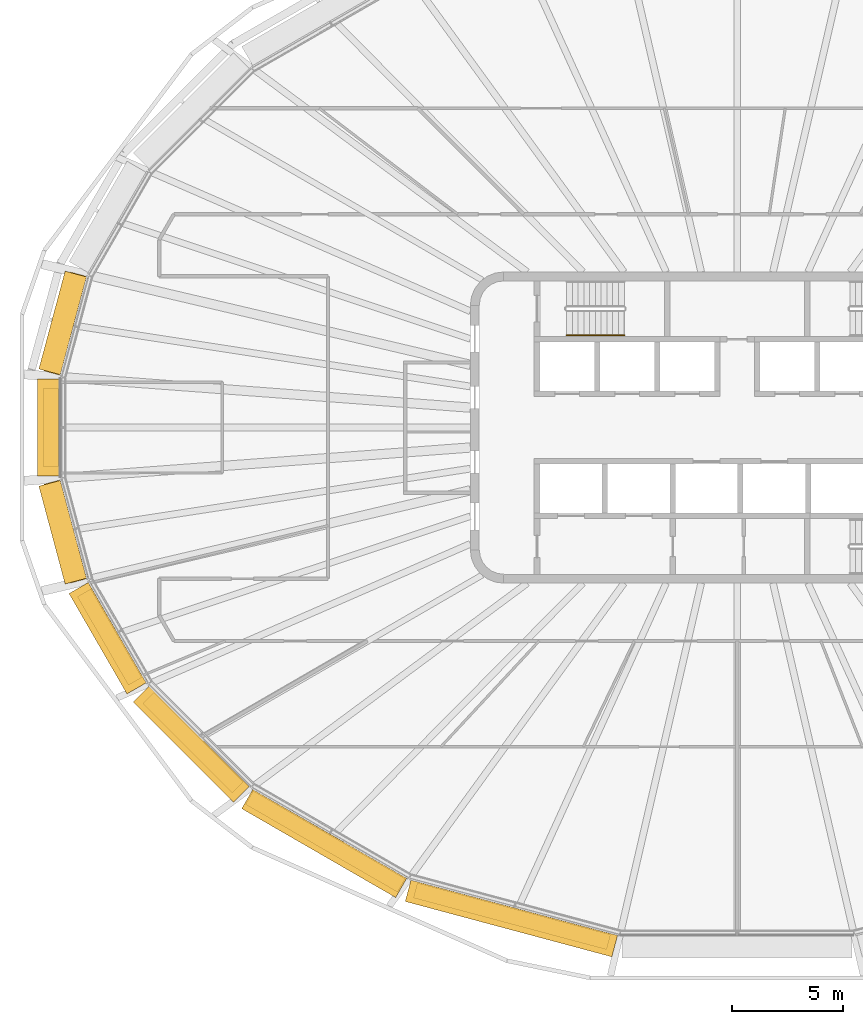
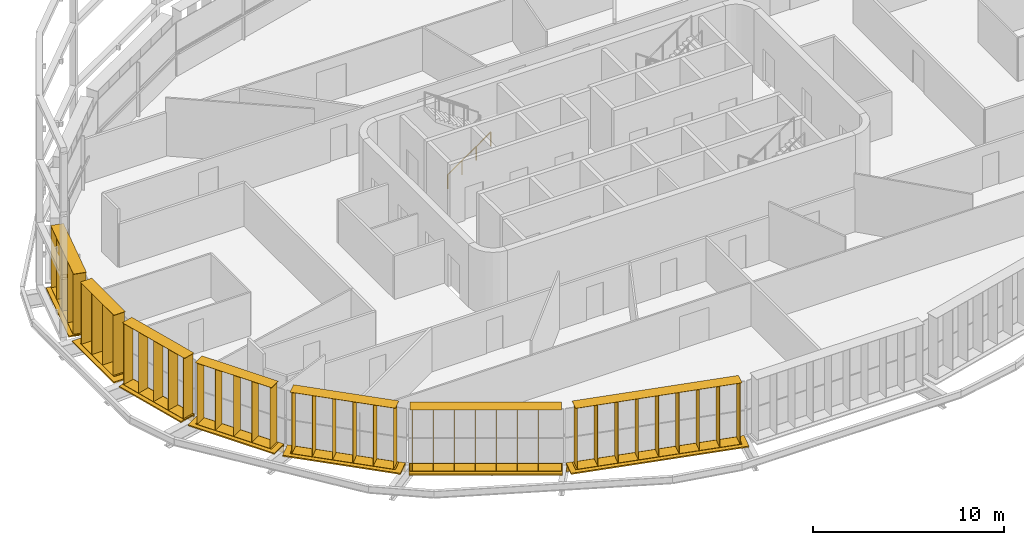
# One storey, part 15 of 20: 14 shading devices, 1 railing.
"""IFC4 building model written with IfcOpenShell, lengths in metres."""

from ifc_helpers import new_model, si_unit, direction, frame, origin, origin_2d, place, context, subcontext, project, spatial, rectangle, circle, extrude, material, type_object, element, save


model = new_model("IFC4")

# Units and contexts
model_context = context("Model", 3, precision=1e-05, world=origin(), true_north=direction((0.0, 1.0)))
body_context = subcontext(model_context, "Body", "Model", "MODEL_VIEW")
ifc_project = project(units=[si_unit("LENGTHUNIT", "METRE"), si_unit("AREAUNIT", "SQUARE_METRE"), si_unit("VOLUMEUNIT", "CUBIC_METRE"), si_unit("PLANEANGLEUNIT", "RADIAN"), si_unit("MASSUNIT", "GRAM", prefix="KILO")], contexts=[model_context])

# Site, building, storey
site_placement = place(None, origin())
site = spatial("IfcSite", under=ifc_project, at=site_placement, CompositionType="ELEMENT")
building_placement = place(site_placement, origin())
building = spatial("IfcBuilding", under=site, at=building_placement, Name="Sahrelin Media Tower", CompositionType="ELEMENT")
storey_placement = place(building_placement, frame((0.0, 0.0, 237.60009765625)))
storey = spatial("IfcBuildingStorey", under=building, at=storey_placement, Name="L51", CompositionType="ELEMENT", Elevation=237.60009765625)

# Shading devices
ifc_material_1 = material(Name="Champagne anodised aluminium 6063-T6", Category="aluminium")
shading_device_type_1 = type_object("IfcShadingDeviceType", Name="Fin cassette", PredefinedType="USERDEFINED", material=ifc_material_1)
placement_1 = place(storey_placement, frame((-29.83447265625, 4.572265625, 0.0), z_axis=(0.0, 0.0, 1.0), x_axis=(0.258807731996, 0.965928857556, 0.0)))
element("IfcShadingDevice", 1, at=placement_1, inside=storey, type_object=shading_device_type_1, Name="L51:FIN:L51-11", ObjectType="FIN", PredefinedType="USERDEFINED", context=body_context, shape_type="SweptSolid", body=[
    extrude(rectangle(XDim=4.60009765625, YDim=0.699951171875, at=origin_2d()), frame((0.0, 0.419921875, 0.0)), (0.0, 0.0, 1.0), 0.02001953125),
    extrude(rectangle(XDim=4.60009765625, YDim=0.699951171875, at=origin_2d()), frame((0.0, 0.419921875, 3.89990234375)), (0.0, 0.0, 1.0), 0.02001953125),
    extrude(rectangle(XDim=0.02001953125, YDim=0.699951171875, at=origin_2d()), frame((-2.199951171875, 0.419921875, 0.010009765625), z_axis=(0.0, 0.0, 1.0), x_axis=(1.0, 0.0, 0.0)), (0.0, 0.0, 1.0), 3.89990234375),
    extrude(rectangle(XDim=0.02001953125, YDim=0.699951171875, at=origin_2d()), frame((-1.10009765625, 0.419921875, 0.010009765625), z_axis=(0.0, 0.0, 1.0), x_axis=(1.0, 0.0, 0.0)), (0.0, 0.0, 1.0), 3.89990234375),
    extrude(rectangle(XDim=0.02001953125, YDim=0.699951171875, at=origin_2d()), frame((0.0, 0.419921875, 0.010009765625), z_axis=(0.0, 0.0, 1.0), x_axis=(1.0, 0.0, 0.0)), (0.0, 0.0, 1.0), 3.89990234375),
    extrude(rectangle(XDim=0.02001953125, YDim=0.699951171875, at=origin_2d()), frame((1.10009765625, 0.419921875, 0.010009765625), z_axis=(0.0, 0.0, 1.0), x_axis=(1.0, 0.0, 0.0)), (0.0, 0.0, 1.0), 3.89990234375),
    extrude(rectangle(XDim=0.02001953125, YDim=0.699951171875, at=origin_2d()), frame((2.199951171875, 0.419921875, 0.010009765625), z_axis=(0.0, 0.0, 1.0), x_axis=(1.0, 0.0, 0.0)), (0.0, 0.0, 1.0), 3.89990234375),
])
placement_2 = place(storey_placement, frame((-30.449951171875, 0.0, 0.0), z_axis=(0.0, 0.0, 1.0), x_axis=(0.0, 1.0, 0.0)))
element("IfcShadingDevice", 2, at=placement_2, inside=storey, type_object=shading_device_type_1, Name="L51:FIN:L51-12", ObjectType="FIN", PredefinedType="USERDEFINED", context=body_context, shape_type="SweptSolid", body=[
    extrude(rectangle(XDim=3.5, YDim=0.699951171875, at=origin_2d()), frame((0.0, 0.419921875, 0.0)), (0.0, 0.0, 1.0), 0.02001953125),
    extrude(rectangle(XDim=3.5, YDim=0.699951171875, at=origin_2d()), frame((0.0, 0.419921875, 3.89990234375)), (0.0, 0.0, 1.0), 0.02001953125),
    extrude(rectangle(XDim=0.02001953125, YDim=0.699951171875, at=origin_2d()), frame((-1.64990234375, 0.419921875, 0.010009765625), z_axis=(0.0, 0.0, 1.0), x_axis=(1.0, 0.0, 0.0)), (0.0, 0.0, 1.0), 3.89990234375),
    extrude(rectangle(XDim=0.02001953125, YDim=0.699951171875, at=origin_2d()), frame((-0.550048828125, 0.419921875, 0.010009765625), z_axis=(0.0, 0.0, 1.0), x_axis=(1.0, 0.0, 0.0)), (0.0, 0.0, 1.0), 3.89990234375),
    extrude(rectangle(XDim=0.02001953125, YDim=0.699951171875, at=origin_2d()), frame((0.550048828125, 0.419921875, 0.010009765625), z_axis=(0.0, 0.0, 1.0), x_axis=(1.0, 0.0, 0.0)), (0.0, 0.0, 1.0), 3.89990234375),
    extrude(rectangle(XDim=0.02001953125, YDim=0.699951171875, at=origin_2d()), frame((1.64990234375, 0.419921875, 0.010009765625), z_axis=(0.0, 0.0, 1.0), x_axis=(1.0, 0.0, 0.0)), (0.0, 0.0, 1.0), 3.89990234375),
])
placement_3 = place(storey_placement, frame((-29.834228515625, -4.572265625, 0.0), z_axis=(0.0, 0.0, 1.0), x_axis=(-0.258807731996, 0.965928857556, 0.0)))
element("IfcShadingDevice", 3, at=placement_3, inside=storey, type_object=shading_device_type_1, Name="L51:FIN:L51-13", ObjectType="FIN", PredefinedType="USERDEFINED", context=body_context, shape_type="SweptSolid", body=[
    extrude(rectangle(XDim=4.60009765625, YDim=0.699951171875, at=origin_2d()), frame((0.0, 0.419921875, 0.0)), (0.0, 0.0, 1.0), 0.02001953125),
    extrude(rectangle(XDim=4.60009765625, YDim=0.699951171875, at=origin_2d()), frame((0.0, 0.419921875, 3.89990234375)), (0.0, 0.0, 1.0), 0.02001953125),
    extrude(rectangle(XDim=0.02001953125, YDim=0.699951171875, at=origin_2d()), frame((-2.199951171875, 0.419921875, 0.010009765625), z_axis=(0.0, 0.0, 1.0), x_axis=(1.0, 0.0, 0.0)), (0.0, 0.0, 1.0), 3.89990234375),
    extrude(rectangle(XDim=0.02001953125, YDim=0.699951171875, at=origin_2d()), frame((-1.10009765625, 0.419921875, 0.010009765625), z_axis=(0.0, 0.0, 1.0), x_axis=(1.0, 0.0, 0.0)), (0.0, 0.0, 1.0), 3.89990234375),
    extrude(rectangle(XDim=0.02001953125, YDim=0.699951171875, at=origin_2d()), frame((0.0, 0.419921875, 0.010009765625), z_axis=(0.0, 0.0, 1.0), x_axis=(1.0, 0.0, 0.0)), (0.0, 0.0, 1.0), 3.89990234375),
    extrude(rectangle(XDim=0.02001953125, YDim=0.699951171875, at=origin_2d()), frame((1.10009765625, 0.419921875, 0.010009765625), z_axis=(0.0, 0.0, 1.0), x_axis=(1.0, 0.0, 0.0)), (0.0, 0.0, 1.0), 3.89990234375),
    extrude(rectangle(XDim=0.02001953125, YDim=0.699951171875, at=origin_2d()), frame((2.199951171875, 0.419921875, 0.010009765625), z_axis=(0.0, 0.0, 1.0), x_axis=(1.0, 0.0, 0.0)), (0.0, 0.0, 1.0), 3.89990234375),
])
placement_4 = place(storey_placement, frame((-27.865234375, -9.214111328125, 0.0), z_axis=(0.0, 0.0, 1.0), x_axis=(-0.500011000363, 0.866019052629, 0.0)))
element("IfcShadingDevice", 4, at=placement_4, inside=storey, type_object=shading_device_type_1, Name="L51:FIN:L51-14", ObjectType="FIN", PredefinedType="USERDEFINED", context=body_context, shape_type="SweptSolid", body=[
    extrude(rectangle(XDim=4.60009765625, YDim=0.699951171875, at=origin_2d()), frame((0.0, 0.419921875, 0.0)), (0.0, 0.0, 1.0), 0.02001953125),
    extrude(rectangle(XDim=4.60009765625, YDim=0.699951171875, at=origin_2d()), frame((0.0, 0.419921875, 3.89990234375)), (0.0, 0.0, 1.0), 0.02001953125),
    extrude(rectangle(XDim=0.02001953125, YDim=0.699951171875, at=origin_2d()), frame((-2.199951171875, 0.419921875, 0.010009765625), z_axis=(0.0, 0.0, 1.0), x_axis=(1.0, 0.0, 0.0)), (0.0, 0.0, 1.0), 3.89990234375),
    extrude(rectangle(XDim=0.02001953125, YDim=0.699951171875, at=origin_2d()), frame((-1.10009765625, 0.419921875, 0.010009765625), z_axis=(0.0, 0.0, 1.0), x_axis=(1.0, 0.0, 0.0)), (0.0, 0.0, 1.0), 3.89990234375),
    extrude(rectangle(XDim=0.02001953125, YDim=0.699951171875, at=origin_2d()), frame((0.0, 0.419921875, 0.010009765625), z_axis=(0.0, 0.0, 1.0), x_axis=(1.0, 0.0, 0.0)), (0.0, 0.0, 1.0), 3.89990234375),
    extrude(rectangle(XDim=0.02001953125, YDim=0.699951171875, at=origin_2d()), frame((1.10009765625, 0.419921875, 0.010009765625), z_axis=(0.0, 0.0, 1.0), x_axis=(1.0, 0.0, 0.0)), (0.0, 0.0, 1.0), 3.89990234375),
    extrude(rectangle(XDim=0.02001953125, YDim=0.699951171875, at=origin_2d()), frame((2.199951171875, 0.419921875, 0.010009765625), z_axis=(0.0, 0.0, 1.0), x_axis=(1.0, 0.0, 0.0)), (0.0, 0.0, 1.0), 3.89990234375),
])
placement_5 = place(storey_placement, frame((-24.1865234375, -13.88330078125, 0.0), z_axis=(0.0, 0.0, 1.0), x_axis=(-0.707106781187, 0.707106781187, 0.0)))
element("IfcShadingDevice", 5, at=placement_5, inside=storey, type_object=shading_device_type_1, Name="L51:FIN:L51-15", ObjectType="FIN", PredefinedType="USERDEFINED", context=body_context, shape_type="SweptSolid", body=[
    extrude(rectangle(XDim=5.699951171875, YDim=0.699951171875, at=origin_2d()), frame((0.0, 0.419921875, 0.0)), (0.0, 0.0, 1.0), 0.02001953125),
    extrude(rectangle(XDim=5.699951171875, YDim=0.699951171875, at=origin_2d()), frame((0.0, 0.419921875, 3.89990234375)), (0.0, 0.0, 1.0), 0.02001953125),
    extrude(rectangle(XDim=0.02001953125, YDim=0.699951171875, at=origin_2d()), frame((-2.75, 0.419921875, 0.010009765625), z_axis=(0.0, 0.0, 1.0), x_axis=(1.0, 0.0, 0.0)), (0.0, 0.0, 1.0), 3.89990234375),
    extrude(rectangle(XDim=0.02001953125, YDim=0.699951171875, at=origin_2d()), frame((-1.64990234375, 0.419921875, 0.010009765625), z_axis=(0.0, 0.0, 1.0), x_axis=(1.0, 0.0, 0.0)), (0.0, 0.0, 1.0), 3.89990234375),
    extrude(rectangle(XDim=0.02001953125, YDim=0.699951171875, at=origin_2d()), frame((-0.550048828125, 0.419921875, 0.010009765625), z_axis=(0.0, 0.0, 1.0), x_axis=(1.0, 0.0, 0.0)), (0.0, 0.0, 1.0), 3.89990234375),
    extrude(rectangle(XDim=0.02001953125, YDim=0.699951171875, at=origin_2d()), frame((0.550048828125, 0.419921875, 0.010009765625), z_axis=(0.0, 0.0, 1.0), x_axis=(1.0, 0.0, 0.0)), (0.0, 0.0, 1.0), 3.89990234375),
    extrude(rectangle(XDim=0.02001953125, YDim=0.699951171875, at=origin_2d()), frame((1.64990234375, 0.419921875, 0.010009765625), z_axis=(0.0, 0.0, 1.0), x_axis=(1.0, 0.0, 0.0)), (0.0, 0.0, 1.0), 3.89990234375),
    extrude(rectangle(XDim=0.02001953125, YDim=0.699951171875, at=origin_2d()), frame((2.75, 0.419921875, 0.010009765625), z_axis=(0.0, 0.0, 1.0), x_axis=(1.0, 0.0, 0.0)), (0.0, 0.0, 1.0), 3.89990234375),
])
placement_6 = place(storey_placement, frame((-18.3115234375, -18.25830078125, 0.0), z_axis=(0.0, 0.0, 1.0), x_axis=(-0.866019052629, 0.500011000363, 0.0)))
element("IfcShadingDevice", 6, at=placement_6, inside=storey, type_object=shading_device_type_1, Name="L51:FIN:L51-16", ObjectType="FIN", PredefinedType="USERDEFINED", context=body_context, shape_type="SweptSolid", body=[
    extrude(rectangle(XDim=7.89990234375, YDim=0.699951171875, at=origin_2d()), frame((0.0, 0.419921875, 0.0)), (0.0, 0.0, 1.0), 0.02001953125),
    extrude(rectangle(XDim=7.89990234375, YDim=0.699951171875, at=origin_2d()), frame((0.0, 0.419921875, 3.89990234375)), (0.0, 0.0, 1.0), 0.02001953125),
    extrude(rectangle(XDim=0.02001953125, YDim=0.699951171875, at=origin_2d()), frame((-3.85009765625, 0.419921875, 0.010009765625), z_axis=(0.0, 0.0, 1.0), x_axis=(1.0, 0.0, 0.0)), (0.0, 0.0, 1.0), 3.89990234375),
    extrude(rectangle(XDim=0.02001953125, YDim=0.699951171875, at=origin_2d()), frame((-2.75, 0.419921875, 0.010009765625), z_axis=(0.0, 0.0, 1.0), x_axis=(1.0, 0.0, 0.0)), (0.0, 0.0, 1.0), 3.89990234375),
    extrude(rectangle(XDim=0.02001953125, YDim=0.699951171875, at=origin_2d()), frame((-1.64990234375, 0.419921875, 0.010009765625), z_axis=(0.0, 0.0, 1.0), x_axis=(1.0, 0.0, 0.0)), (0.0, 0.0, 1.0), 3.89990234375),
    extrude(rectangle(XDim=0.02001953125, YDim=0.699951171875, at=origin_2d()), frame((-0.550048828125, 0.419921875, 0.010009765625), z_axis=(0.0, 0.0, 1.0), x_axis=(1.0, 0.0, 0.0)), (0.0, 0.0, 1.0), 3.89990234375),
    extrude(rectangle(XDim=0.02001953125, YDim=0.699951171875, at=origin_2d()), frame((0.550048828125, 0.419921875, 0.010009765625), z_axis=(0.0, 0.0, 1.0), x_axis=(1.0, 0.0, 0.0)), (0.0, 0.0, 1.0), 3.89990234375),
    extrude(rectangle(XDim=0.02001953125, YDim=0.699951171875, at=origin_2d()), frame((1.64990234375, 0.419921875, 0.010009765625), z_axis=(0.0, 0.0, 1.0), x_axis=(1.0, 0.0, 0.0)), (0.0, 0.0, 1.0), 3.89990234375),
    extrude(rectangle(XDim=0.02001953125, YDim=0.699951171875, at=origin_2d()), frame((2.75, 0.419921875, 0.010009765625), z_axis=(0.0, 0.0, 1.0), x_axis=(1.0, 0.0, 0.0)), (0.0, 0.0, 1.0), 3.89990234375),
    extrude(rectangle(XDim=0.02001953125, YDim=0.699951171875, at=origin_2d()), frame((3.85009765625, 0.419921875, 0.010009765625), z_axis=(0.0, 0.0, 1.0), x_axis=(1.0, 0.0, 0.0)), (0.0, 0.0, 1.0), 3.89990234375),
])
placement_7 = place(storey_placement, frame((-10.017578125, -21.578857421875, 0.0), z_axis=(0.0, 0.0, 1.0), x_axis=(-0.965928857556, 0.258807731996, 0.0)))
element("IfcShadingDevice", 7, at=placement_7, inside=storey, type_object=shading_device_type_1, Name="L51:FIN:L51-17", ObjectType="FIN", PredefinedType="USERDEFINED", context=body_context, shape_type="SweptSolid", body=[
    extrude(rectangle(XDim=9.0, YDim=0.699951171875, at=origin_2d()), frame((0.0, 0.419921875, 0.0)), (0.0, 0.0, 1.0), 0.02001953125),
    extrude(rectangle(XDim=9.0, YDim=0.699951171875, at=origin_2d()), frame((0.0, 0.419921875, 3.89990234375)), (0.0, 0.0, 1.0), 0.02001953125),
    extrude(rectangle(XDim=0.02001953125, YDim=0.699951171875, at=origin_2d()), frame((-4.39990234375, 0.419921875, 0.010009765625), z_axis=(0.0, 0.0, 1.0), x_axis=(1.0, 0.0, 0.0)), (0.0, 0.0, 1.0), 3.89990234375),
    extrude(rectangle(XDim=0.02001953125, YDim=0.699951171875, at=origin_2d()), frame((-3.300048828125, 0.419921875, 0.010009765625), z_axis=(0.0, 0.0, 1.0), x_axis=(1.0, 0.0, 0.0)), (0.0, 0.0, 1.0), 3.89990234375),
    extrude(rectangle(XDim=0.02001953125, YDim=0.699951171875, at=origin_2d()), frame((-2.199951171875, 0.419921875, 0.010009765625), z_axis=(0.0, 0.0, 1.0), x_axis=(1.0, 0.0, 0.0)), (0.0, 0.0, 1.0), 3.89990234375),
    extrude(rectangle(XDim=0.02001953125, YDim=0.699951171875, at=origin_2d()), frame((-1.10009765625, 0.419921875, 0.010009765625), z_axis=(0.0, 0.0, 1.0), x_axis=(1.0, 0.0, 0.0)), (0.0, 0.0, 1.0), 3.89990234375),
    extrude(rectangle(XDim=0.02001953125, YDim=0.699951171875, at=origin_2d()), frame((0.0, 0.419921875, 0.010009765625), z_axis=(0.0, 0.0, 1.0), x_axis=(1.0, 0.0, 0.0)), (0.0, 0.0, 1.0), 3.89990234375),
    extrude(rectangle(XDim=0.02001953125, YDim=0.699951171875, at=origin_2d()), frame((1.10009765625, 0.419921875, 0.010009765625), z_axis=(0.0, 0.0, 1.0), x_axis=(1.0, 0.0, 0.0)), (0.0, 0.0, 1.0), 3.89990234375),
    extrude(rectangle(XDim=0.02001953125, YDim=0.699951171875, at=origin_2d()), frame((2.199951171875, 0.419921875, 0.010009765625), z_axis=(0.0, 0.0, 1.0), x_axis=(1.0, 0.0, 0.0)), (0.0, 0.0, 1.0), 3.89990234375),
    extrude(rectangle(XDim=0.02001953125, YDim=0.699951171875, at=origin_2d()), frame((3.300048828125, 0.419921875, 0.010009765625), z_axis=(0.0, 0.0, 1.0), x_axis=(1.0, 0.0, 0.0)), (0.0, 0.0, 1.0), 3.89990234375),
    extrude(rectangle(XDim=0.02001953125, YDim=0.699951171875, at=origin_2d()), frame((4.39990234375, 0.419921875, 0.010009765625), z_axis=(0.0, 0.0, 1.0), x_axis=(1.0, 0.0, 0.0)), (0.0, 0.0, 1.0), 3.89990234375),
])

# Railing
ifc_material_2 = material(Name="Steel S355", Category="steel")
railing_type = type_object("IfcRailingType", Name="Stair handrail 900", PredefinedType="HANDRAIL", material=ifc_material_2)
railing_placement = place(storey_placement, frame((-7.675048828125, 4.14990234375, 0.181640625)))
element("IfcRailing", 8, at=railing_placement, inside=storey, type_object=railing_type, Name="L51 ST1 stair handrail 1", PredefinedType="HANDRAIL", context=body_context, shape_type="SweptSolid", body=[
    extrude(circle(Radius=0.02392578125, at=origin_2d()), frame((0.0, 0.0, 0.8759765625), z_axis=(0.819484887739, 0.0, 0.573100792852), x_axis=(0.0, 1.0, 0.0)), (0.0, 0.0, 1.0), 3.1728515625),
    extrude(circle(Radius=0.02099609375, at=origin_2d()), origin(), (0.0, 0.0, 1.0), 0.851806640625),
    extrude(circle(Radius=0.02099609375, at=origin_2d()), frame((0.86669921875, 0.0, 0.606201171875)), (0.0, 0.0, 1.0), 0.851806640625),
    extrude(circle(Radius=0.02099609375, at=origin_2d()), frame((1.7333984375, 0.0, 1.212158203125)), (0.0, 0.0, 1.0), 0.851806640625),
    extrude(circle(Radius=0.02099609375, at=origin_2d()), frame((2.60009765625, 0.0, 1.818359375)), (0.0, 0.0, 1.0), 0.851806640625),
])

# Shading devices
shading_device_type_2 = type_object("IfcShadingDeviceType", Name="Sunshade band", PredefinedType="USERDEFINED", material=ifc_material_1)
element("IfcShadingDevice", 9, at=placement_1, inside=storey, type_object=shading_device_type_2, Name="L51:SUN:L51-11", ObjectType="SUNSHADE", PredefinedType="USERDEFINED", context=body_context, shape_type="SweptSolid", body=[
    extrude(rectangle(XDim=4.5576171875, YDim=0.050048828125, at=origin_2d()), frame((0.0, 0.044921875, -0.55126953125)), (0.0, 0.0, 1.0), 0.471435546875),
    extrude(rectangle(XDim=4.5576171875, YDim=1.0, at=origin_2d()), frame((0.0, 0.52001953125, -0.080078125)), (0.0, 0.0, 1.0), 0.080078125),
    extrude(rectangle(XDim=0.10009765625, YDim=0.074951171875, at=origin_2d()), frame((-2.1787109375, -0.017578125, -0.47021484375)), (0.0, 0.0, 1.0), 0.300048828125),
    extrude(rectangle(XDim=0.10009765625, YDim=0.074951171875, at=origin_2d()), frame((-0.726318359375, -0.017578125, -0.47021484375)), (0.0, 0.0, 1.0), 0.300048828125),
    extrude(rectangle(XDim=0.10009765625, YDim=0.074951171875, at=origin_2d()), frame((0.726318359375, -0.017578125, -0.47021484375)), (0.0, 0.0, 1.0), 0.300048828125),
    extrude(rectangle(XDim=0.10009765625, YDim=0.074951171875, at=origin_2d()), frame((2.1787109375, -0.017578125, -0.47021484375)), (0.0, 0.0, 1.0), 0.300048828125),
])
element("IfcShadingDevice", 10, at=placement_2, inside=storey, type_object=shading_device_type_2, Name="L51:SUN:L51-12", ObjectType="SUNSHADE", PredefinedType="USERDEFINED", context=body_context, shape_type="SweptSolid", body=[
    extrude(rectangle(XDim=4.34912109375, YDim=0.050048828125, at=origin_2d()), frame((0.0, 0.044921875, -0.55126953125)), (0.0, 0.0, 1.0), 0.471435546875),
    extrude(rectangle(XDim=4.34912109375, YDim=1.0, at=origin_2d()), frame((0.0, 0.52001953125, -0.080078125)), (0.0, 0.0, 1.0), 0.080078125),
    extrude(rectangle(XDim=0.10009765625, YDim=0.074951171875, at=origin_2d()), frame((-2.074462890625, -0.017578125, -0.47021484375)), (0.0, 0.0, 1.0), 0.300048828125),
    extrude(rectangle(XDim=0.10009765625, YDim=0.074951171875, at=origin_2d()), frame((-0.69140625, -0.017578125, -0.47021484375)), (0.0, 0.0, 1.0), 0.300048828125),
    extrude(rectangle(XDim=0.10009765625, YDim=0.074951171875, at=origin_2d()), frame((0.69140625, -0.017578125, -0.47021484375)), (0.0, 0.0, 1.0), 0.300048828125),
    extrude(rectangle(XDim=0.10009765625, YDim=0.074951171875, at=origin_2d()), frame((2.074462890625, -0.017578125, -0.47021484375)), (0.0, 0.0, 1.0), 0.300048828125),
])
element("IfcShadingDevice", 11, at=placement_3, inside=storey, type_object=shading_device_type_2, Name="L51:SUN:L51-13", ObjectType="SUNSHADE", PredefinedType="USERDEFINED", context=body_context, shape_type="SweptSolid", body=[
    extrude(rectangle(XDim=4.5576171875, YDim=0.050048828125, at=origin_2d()), frame((0.0, 0.044921875, -0.55126953125)), (0.0, 0.0, 1.0), 0.471435546875),
    extrude(rectangle(XDim=4.5576171875, YDim=1.0, at=origin_2d()), frame((0.0, 0.52001953125, -0.080078125)), (0.0, 0.0, 1.0), 0.080078125),
    extrude(rectangle(XDim=0.10009765625, YDim=0.074951171875, at=origin_2d()), frame((-2.1787109375, -0.017578125, -0.47021484375)), (0.0, 0.0, 1.0), 0.300048828125),
    extrude(rectangle(XDim=0.10009765625, YDim=0.074951171875, at=origin_2d()), frame((-0.726318359375, -0.017578125, -0.47021484375)), (0.0, 0.0, 1.0), 0.300048828125),
    extrude(rectangle(XDim=0.10009765625, YDim=0.074951171875, at=origin_2d()), frame((0.726318359375, -0.017578125, -0.47021484375)), (0.0, 0.0, 1.0), 0.300048828125),
    extrude(rectangle(XDim=0.10009765625, YDim=0.074951171875, at=origin_2d()), frame((2.1787109375, -0.017578125, -0.47021484375)), (0.0, 0.0, 1.0), 0.300048828125),
])
element("IfcShadingDevice", 12, at=placement_4, inside=storey, type_object=shading_device_type_2, Name="L51:SUN:L51-14", ObjectType="SUNSHADE", PredefinedType="USERDEFINED", context=body_context, shape_type="SweptSolid", body=[
    extrude(rectangle(XDim=5.21337890625, YDim=0.050048828125, at=origin_2d()), frame((0.0, 0.044921875, -0.55126953125)), (0.0, 0.0, 1.0), 0.471435546875),
    extrude(rectangle(XDim=5.21337890625, YDim=1.0, at=origin_2d()), frame((0.0, 0.52001953125, -0.080078125)), (0.0, 0.0, 1.0), 0.080078125),
    extrude(rectangle(XDim=0.10009765625, YDim=0.074951171875, at=origin_2d()), frame((-2.5068359375, -0.017578125, -0.47021484375)), (0.0, 0.0, 1.0), 0.300048828125),
    extrude(rectangle(XDim=0.10009765625, YDim=0.074951171875, at=origin_2d()), frame((-0.835693359375, -0.017578125, -0.47021484375)), (0.0, 0.0, 1.0), 0.300048828125),
    extrude(rectangle(XDim=0.10009765625, YDim=0.074951171875, at=origin_2d()), frame((0.835693359375, -0.017578125, -0.47021484375)), (0.0, 0.0, 1.0), 0.300048828125),
    extrude(rectangle(XDim=0.10009765625, YDim=0.074951171875, at=origin_2d()), frame((2.5068359375, -0.017578125, -0.47021484375)), (0.0, 0.0, 1.0), 0.300048828125),
])
element("IfcShadingDevice", 13, at=placement_5, inside=storey, type_object=shading_device_type_2, Name="L51:SUN:L51-15", ObjectType="SUNSHADE", PredefinedType="USERDEFINED", context=body_context, shape_type="SweptSolid", body=[
    extrude(rectangle(XDim=6.377197265625, YDim=0.050048828125, at=origin_2d()), frame((0.0, 0.044921875, -0.55126953125)), (0.0, 0.0, 1.0), 0.471435546875),
    extrude(rectangle(XDim=6.377197265625, YDim=1.0, at=origin_2d()), frame((0.0, 0.52001953125, -0.080078125)), (0.0, 0.0, 1.0), 0.080078125),
    extrude(rectangle(XDim=0.10009765625, YDim=0.074951171875, at=origin_2d()), frame((-3.08837890625, -0.017578125, -0.47021484375)), (0.0, 0.0, 1.0), 0.300048828125),
    extrude(rectangle(XDim=0.10009765625, YDim=0.074951171875, at=origin_2d()), frame((-1.544189453125, -0.017578125, -0.47021484375)), (0.0, 0.0, 1.0), 0.300048828125),
    extrude(rectangle(XDim=0.10009765625, YDim=0.074951171875, at=origin_2d()), frame((0.0, -0.017578125, -0.47021484375)), (0.0, 0.0, 1.0), 0.300048828125),
    extrude(rectangle(XDim=0.10009765625, YDim=0.074951171875, at=origin_2d()), frame((1.544189453125, -0.017578125, -0.47021484375)), (0.0, 0.0, 1.0), 0.300048828125),
    extrude(rectangle(XDim=0.10009765625, YDim=0.074951171875, at=origin_2d()), frame((3.08837890625, -0.017578125, -0.47021484375)), (0.0, 0.0, 1.0), 0.300048828125),
])
element("IfcShadingDevice", 14, at=placement_6, inside=storey, type_object=shading_device_type_2, Name="L51:SUN:L51-16", ObjectType="SUNSHADE", PredefinedType="USERDEFINED", context=body_context, shape_type="SweptSolid", body=[
    extrude(rectangle(XDim=7.997314453125, YDim=0.050048828125, at=origin_2d()), frame((0.0, 0.044921875, -0.55126953125)), (0.0, 0.0, 1.0), 0.471435546875),
    extrude(rectangle(XDim=7.997314453125, YDim=1.0, at=origin_2d()), frame((0.0, 0.52001953125, -0.080078125)), (0.0, 0.0, 1.0), 0.080078125),
    extrude(rectangle(XDim=0.10009765625, YDim=0.074951171875, at=origin_2d()), frame((-3.898681640625, -0.017578125, -0.47021484375)), (0.0, 0.0, 1.0), 0.300048828125),
    extrude(rectangle(XDim=0.10009765625, YDim=0.074951171875, at=origin_2d()), frame((-1.949462890625, -0.017578125, -0.47021484375)), (0.0, 0.0, 1.0), 0.300048828125),
    extrude(rectangle(XDim=0.10009765625, YDim=0.074951171875, at=origin_2d()), frame((0.0, -0.017578125, -0.47021484375)), (0.0, 0.0, 1.0), 0.300048828125),
    extrude(rectangle(XDim=0.10009765625, YDim=0.074951171875, at=origin_2d()), frame((1.949462890625, -0.017578125, -0.47021484375)), (0.0, 0.0, 1.0), 0.300048828125),
    extrude(rectangle(XDim=0.10009765625, YDim=0.074951171875, at=origin_2d()), frame((3.898681640625, -0.017578125, -0.47021484375)), (0.0, 0.0, 1.0), 0.300048828125),
])
element("IfcShadingDevice", 15, at=placement_7, inside=storey, type_object=shading_device_type_2, Name="L51:SUN:L51-17", ObjectType="SUNSHADE", PredefinedType="USERDEFINED", context=body_context, shape_type="SweptSolid", body=[
    extrude(rectangle(XDim=9.623291015625, YDim=0.050048828125, at=origin_2d()), frame((0.0, 0.044921875, -0.55126953125)), (0.0, 0.0, 1.0), 0.471435546875),
    extrude(rectangle(XDim=9.623291015625, YDim=1.0, at=origin_2d()), frame((0.0, 0.52001953125, -0.080078125)), (0.0, 0.0, 1.0), 0.080078125),
    extrude(rectangle(XDim=0.10009765625, YDim=0.074951171875, at=origin_2d()), frame((-4.711669921875, -0.017578125, -0.47021484375)), (0.0, 0.0, 1.0), 0.300048828125),
    extrude(rectangle(XDim=0.10009765625, YDim=0.074951171875, at=origin_2d()), frame((-2.826904296875, -0.017578125, -0.47021484375)), (0.0, 0.0, 1.0), 0.300048828125),
    extrude(rectangle(XDim=0.10009765625, YDim=0.074951171875, at=origin_2d()), frame((-0.9423828125, -0.017578125, -0.47021484375)), (0.0, 0.0, 1.0), 0.300048828125),
    extrude(rectangle(XDim=0.10009765625, YDim=0.074951171875, at=origin_2d()), frame((0.9423828125, -0.017578125, -0.47021484375)), (0.0, 0.0, 1.0), 0.300048828125),
    extrude(rectangle(XDim=0.10009765625, YDim=0.074951171875, at=origin_2d()), frame((2.826904296875, -0.017578125, -0.47021484375)), (0.0, 0.0, 1.0), 0.300048828125),
    extrude(rectangle(XDim=0.10009765625, YDim=0.074951171875, at=origin_2d()), frame((4.711669921875, -0.017578125, -0.47021484375)), (0.0, 0.0, 1.0), 0.300048828125),
])

save(model, "model.ifc")
